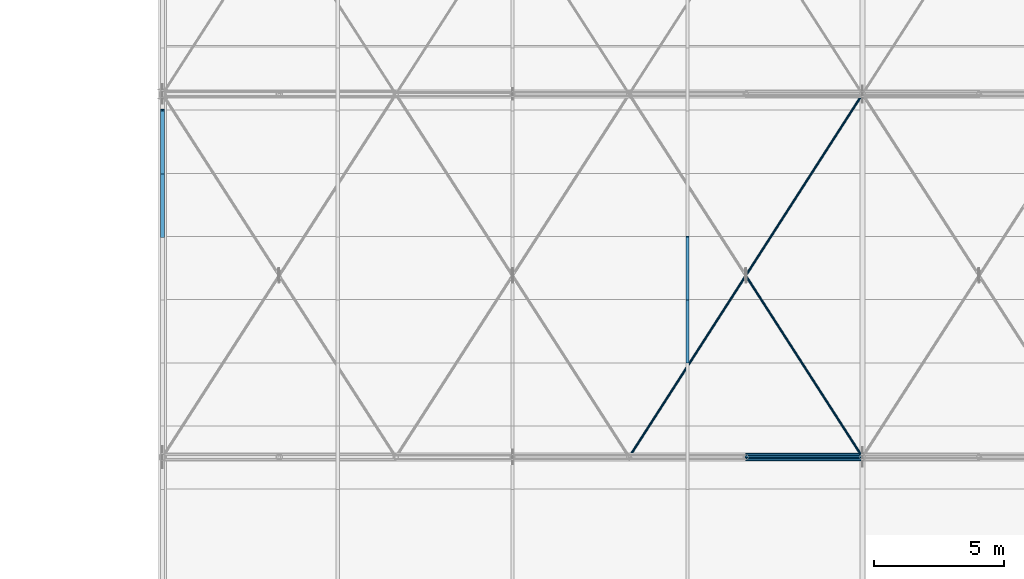
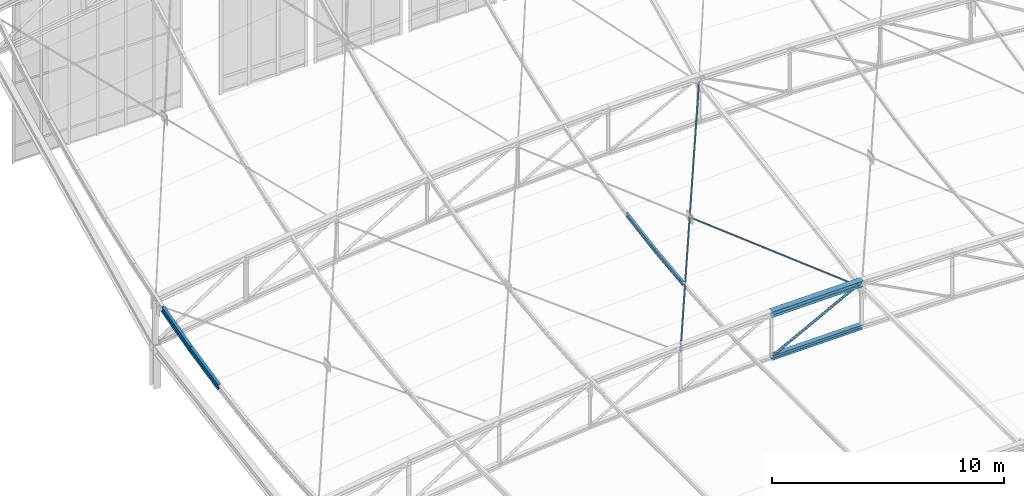
# One storey, part 175 of 262: 9 members.
"""IFC4 building model written with IfcOpenShell, lengths in metres."""

from ifc_helpers import new_model, si_unit, derived_unit, direction, frame, origin, origin_2d, place, context, subcontext, project, spatial, hollow_circle, i_section, extrude, material, material_profile, profile_set, type_object, element, save


model = new_model("IFC4")

# Units and contexts
model_context = context("Model", 3, precision=1e-05, world=origin(), true_north=direction((0.0, 1.0)))
body_context = subcontext(model_context, "Body", "Model", "MODEL_VIEW")
ifc_project = project(units=[si_unit("LENGTHUNIT", "METRE"), si_unit("AREAUNIT", "SQUARE_METRE"), si_unit("VOLUMEUNIT", "CUBIC_METRE"), si_unit("PLANEANGLEUNIT", "RADIAN"), si_unit("MASSUNIT", "GRAM", prefix="KILO"), derived_unit("THERMALTRANSMITTANCEUNIT", [(si_unit("POWERUNIT", "WATT"), 1), (si_unit("LENGTHUNIT", "METRE"), -2), (si_unit("THERMODYNAMICTEMPERATUREUNIT", "KELVIN"), -1)])], contexts=[model_context])

# Site, building, storey
site_placement = place(None, origin())
site = spatial("IfcSite", under=ifc_project, at=site_placement, CompositionType="ELEMENT")
building_placement = place(site_placement, origin())
building = spatial("IfcBuilding", under=site, at=building_placement, Name="Almenara Railside Exhibition Hall", CompositionType="ELEMENT")
storey_placement = place(building_placement, frame((0.0, 0.0, 21.699951171875)))
storey = spatial("IfcBuildingStorey", under=building, at=storey_placement, Name="RF", CompositionType="ELEMENT", Elevation=21.699951171875)

# Members
ifc_material = material(Name="Structural steel S355JR", Category="steel")
ifc_material_profile_1 = material_profile(ifc_material, i_section(OverallWidth=0.239990234375, OverallDepth=0.239990234375, WebThickness=0.010009765625, FlangeThickness=0.01708984375, FilletRadius=0.02099609375, at=origin_2d()), Name="HEB 240")
ifc_profile_set_1 = profile_set([ifc_material_profile_1], Name="Structural steel S355JR")
member_type_1 = type_object("IfcMemberType", Name="Arched Crown Bottom Chord HEB 240 S355JR", PredefinedType="CHORD", material=ifc_profile_set_1)
member_1_placement = place(storey_placement, frame((160.5, 104.0, -7.4462890625), z_axis=(0.999908030213, 0.0, 0.013562120635), x_axis=(0.0, 1.0, 0.0)))
element("IfcMember", 1, at=member_1_placement, inside=storey, type_object=member_type_1, Name="MEM-BC-V2-05-05", PredefinedType="CHORD", context=body_context, shape_type="SweptSolid", body=[
    extrude(i_section(OverallWidth=0.239990234375, OverallDepth=0.239990234375, WebThickness=0.010009765625, FlangeThickness=0.01708984375, FilletRadius=0.02099609375, at=origin_2d()), origin(), (0.0, 0.0, 1.0), 4.50048828125),
])
ifc_material_profile_2 = material_profile(ifc_material, i_section(OverallWidth=0.300048828125, OverallDepth=0.300048828125, WebThickness=0.010986328125, FlangeThickness=0.01904296875, FilletRadius=0.027099609375, at=origin_2d()), Name="HEB 300")
ifc_profile_set_2 = profile_set([ifc_material_profile_2], Name="Structural steel S355JR")
member_type_2 = type_object("IfcMemberType", Name="Arched Inner Top Chord HEB 300 S355JR", PredefinedType="CHORD", material=ifc_profile_set_2)
member_2_placement = place(storey_placement, frame((160.5, 104.0, -5.146240234375), z_axis=(0.999908030213, 0.0, 0.013562120635), x_axis=(0.0, 1.0, 0.0)))
element("IfcMember", 2, at=member_2_placement, inside=storey, type_object=member_type_2, Name="MEM-TC-V2-05-05", PredefinedType="CHORD", context=body_context, shape_type="SweptSolid", body=[
    extrude(i_section(OverallWidth=0.300048828125, OverallDepth=0.300048828125, WebThickness=0.010986328125, FlangeThickness=0.01904296875, FilletRadius=0.027099609375, at=origin_2d()), origin(), (0.0, 0.0, 1.0), 4.50048828125),
])
ifc_material_profile_3 = material_profile(ifc_material, hollow_circle(Radius=0.04443359375, WallThickness=0.00390625, at=origin_2d()), Name="CHS 88.9x4")
ifc_profile_set_3 = profile_set([ifc_material_profile_3], Name="Structural steel S355JR")
member_type_3 = type_object("IfcMemberType", Name="Canopy Tie Brace CHS 88.9x4 S355JR", PredefinedType="BRACE", material=ifc_profile_set_3)
member_3_placement = place(storey_placement, frame((156.0, 104.0, -5.609619140625), z_axis=(0.534695942262, 0.831749243519, 0.149309896638), x_axis=(-0.841178475377, 0.540757591313, 0.0)))
element("IfcMember", 3, at=member_3_placement, inside=storey, type_object=member_type_3, Name="MEM-WB-V2-WB-CHS89-05-04-C", PredefinedType="BRACE", context=body_context, shape_type="SweptSolid", body=[
    extrude(hollow_circle(Radius=0.04443359375, WallThickness=0.00390625, at=origin_2d()), origin(), (0.0, 0.0, 1.0), 16.83203125),
])
member_4_placement = place(storey_placement, frame((165.0, 104.0, -5.365234375), z_axis=(-0.536816035855, 0.835014619562, 0.120744063069), x_axis=(-0.84116888765, -0.540772505264, 0.0)))
element("IfcMember", 4, at=member_4_placement, inside=storey, type_object=member_type_3, Name="MEM-WB-V2-WB-CHS89-05-04-S1", PredefinedType="BRACE", context=body_context, shape_type="SweptSolid", body=[
    extrude(hollow_circle(Radius=0.04443359375, WallThickness=0.00390625, at=origin_2d()), origin(), (0.0, 0.0, 1.0), 8.33447265625),
])
ifc_material_profile_4 = material_profile(ifc_material, i_section(OverallWidth=0.14990234375, OverallDepth=0.300048828125, WebThickness=0.007080078125, FlangeThickness=0.0107421875, FilletRadius=0.014892578125, at=origin_2d()), Name="IPE 300")
ifc_profile_set_4 = profile_set([ifc_material_profile_4], Name="Structural steel S355JR")
member_type_4 = type_object("IfcMemberType", Name="East Hall Ridge Purlin IPE 300 S355JR", PredefinedType="PURLIN", material=ifc_profile_set_4)
member_5_placement = place(storey_placement, frame((138.0, 112.50634765625, -6.305419921875), z_axis=(0.0, 0.977496103583, 0.210953472309), x_axis=(-1.0, 0.0, 0.0)))
element("IfcMember", 5, at=member_5_placement, inside=storey, type_object=member_type_4, Name="MEM-PR-V2-PR-IPE300-00-20", PredefinedType="PURLIN", context=body_context, shape_type="SweptSolid", body=[
    extrude(i_section(OverallWidth=0.14990234375, OverallDepth=0.300048828125, WebThickness=0.007080078125, FlangeThickness=0.0107421875, FilletRadius=0.014892578125, at=origin_2d()), origin(), (0.0, 0.0, 1.0), 2.492919921875),
])
member_6_placement = place(storey_placement, frame((138.0, 114.943115234375, -5.78369140625), z_axis=(0.0, 0.966201190487, 0.257789176462), x_axis=(-1.0, 0.0, 0.0)))
element("IfcMember", 6, at=member_6_placement, inside=storey, type_object=member_type_4, Name="MEM-PR-V2-PR-IPE300-00-21", PredefinedType="PURLIN", context=body_context, shape_type="SweptSolid", body=[
    extrude(i_section(OverallWidth=0.14990234375, OverallDepth=0.300048828125, WebThickness=0.007080078125, FlangeThickness=0.0107421875, FilletRadius=0.014892578125, at=origin_2d()), origin(), (0.0, 0.0, 1.0), 2.52197265625),
])
ifc_material_profile_5 = material_profile(ifc_material, i_section(OverallWidth=0.110107421875, OverallDepth=0.219970703125, WebThickness=0.005859375, FlangeThickness=0.00927734375, FilletRadius=0.011962890625, at=origin_2d()), Name="IPE 220")
ifc_profile_set_5 = profile_set([ifc_material_profile_5], Name="Structural steel S355JR")
member_type_5 = type_object("IfcMemberType", Name="Heavy Hall Roof Purlin IPE 220 S355JR", PredefinedType="PURLIN", material=ifc_profile_set_5)
member_7_placement = place(storey_placement, frame((158.25, 107.633056640625, -5.017822265625), z_axis=(0.0, 0.993117280569, 0.117124152227), x_axis=(-1.0, 0.0, 0.0)))
element("IfcMember", 7, at=member_7_placement, inside=storey, type_object=member_type_5, Name="MEM-PR-V2-PR-IPE220-03-18", PredefinedType="PURLIN", context=body_context, shape_type="SweptSolid", body=[
    extrude(i_section(OverallWidth=0.110107421875, OverallDepth=0.219970703125, WebThickness=0.005859375, FlangeThickness=0.00927734375, FilletRadius=0.011962890625, at=origin_2d()), origin(), (0.0, 0.0, 1.0), 2.453369140625),
])
member_8_placement = place(storey_placement, frame((158.25, 110.069580078125, -4.732421875), z_axis=(0.0, 0.986449960692, 0.164062412058), x_axis=(-1.0, 0.0, 0.0)))
element("IfcMember", 8, at=member_8_placement, inside=storey, type_object=member_type_5, Name="MEM-PR-V2-PR-IPE220-03-19", PredefinedType="PURLIN", context=body_context, shape_type="SweptSolid", body=[
    extrude(i_section(OverallWidth=0.110107421875, OverallDepth=0.219970703125, WebThickness=0.005859375, FlangeThickness=0.00927734375, FilletRadius=0.011962890625, at=origin_2d()), origin(), (0.0, 0.0, 1.0), 2.47021484375),
])
ifc_material_profile_6 = material_profile(ifc_material, hollow_circle(Radius=0.0634765625, WallThickness=0.00439453125, at=origin_2d()), Name="CHS 127.0x4.5")
ifc_profile_set_6 = profile_set([ifc_material_profile_6], Name="Structural steel S355JR")
member_type_6 = type_object("IfcMemberType", Name="Truss Crown Diagonal CHS 127.0x4.5 S355JR", PredefinedType="BRACE", material=ifc_profile_set_6)
member_9_placement = place(storey_placement, frame((160.5, 104.0, -7.4462890625), z_axis=(0.885512555589, 0.0, 0.464615447326), x_axis=(0.0, 1.0, 0.0)))
element("IfcMember", 9, at=member_9_placement, inside=storey, type_object=member_type_6, Name="MEM-TD-V2-05-05", PredefinedType="BRACE", context=body_context, shape_type="SweptSolid", body=[
    extrude(hollow_circle(Radius=0.0634765625, WallThickness=0.00439453125, at=origin_2d()), origin(), (0.0, 0.0, 1.0), 5.081787109375),
])

save(model, "model.ifc")
